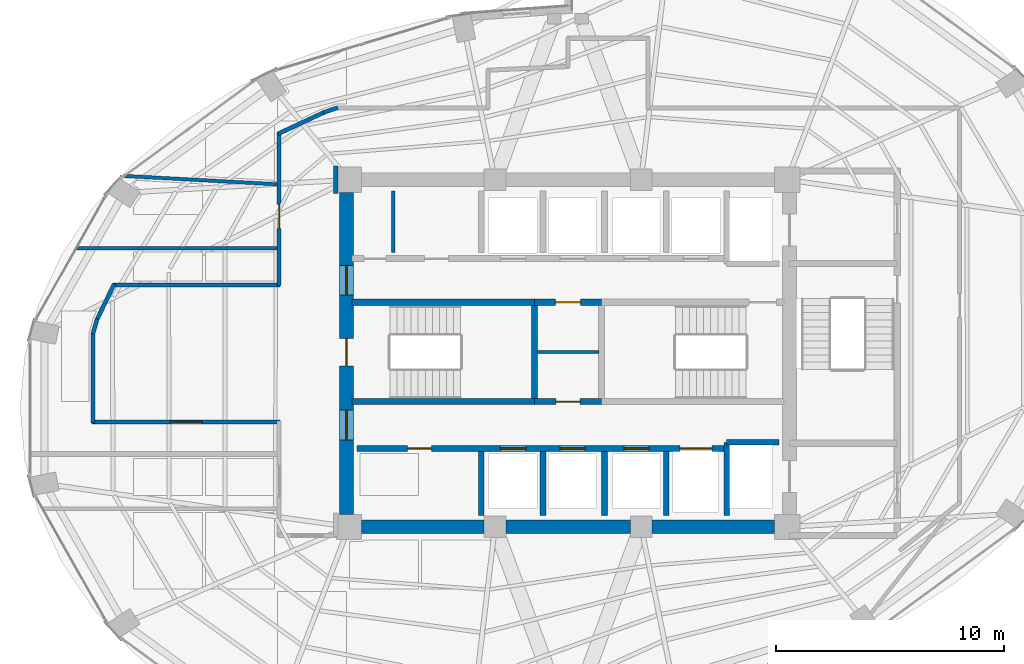
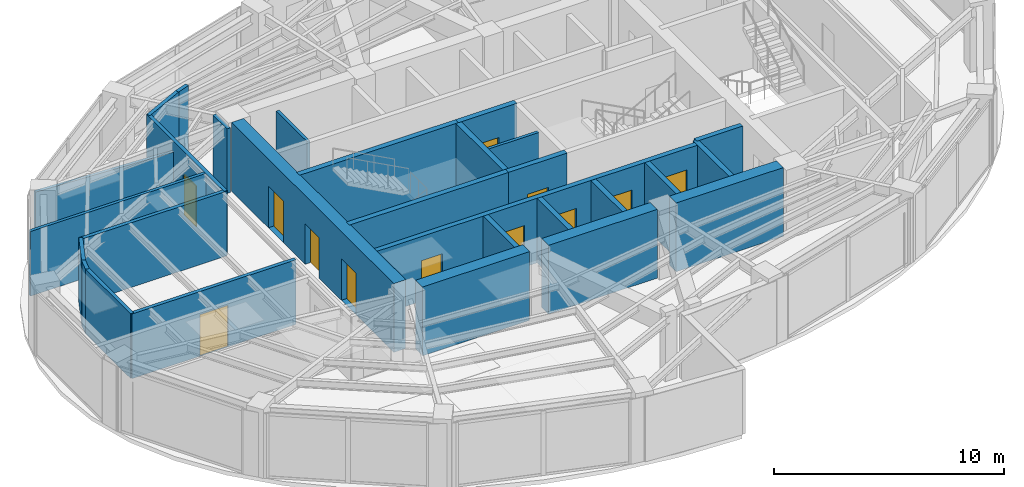
# One storey, part 16 of 20: 29 walls, 12 doors, 12 openings.
"""IFC4 building model written with IfcOpenShell, lengths in metres."""

from ifc_helpers import new_model, si_unit, direction, frame, frame_2d, origin, place, context, subcontext, project, spatial, rectangle, extrude, material, layer, layer_set, type_object, element, fill, save


model = new_model("IFC4")

# Units and contexts
model_context = context("Model", 3, precision=1e-05, world=origin(), true_north=direction((0.0, 1.0)))
body_context = subcontext(model_context, "Body", "Model", "MODEL_VIEW")
ifc_project = project(units=[si_unit("LENGTHUNIT", "METRE"), si_unit("AREAUNIT", "SQUARE_METRE"), si_unit("VOLUMEUNIT", "CUBIC_METRE"), si_unit("PLANEANGLEUNIT", "RADIAN"), si_unit("MASSUNIT", "GRAM", prefix="KILO")], contexts=[model_context])

# Site, building, storey
site_placement = place(None, origin())
site = spatial("IfcSite", under=ifc_project, at=site_placement, CompositionType="ELEMENT")
building_placement = place(site_placement, origin())
building = spatial("IfcBuilding", under=site, at=building_placement, Name="Lazwardi Medical Tower", CompositionType="ELEMENT")
storey_placement = place(building_placement, frame((0.0, 0.0, 174.76806640625)))
storey = spatial("IfcBuildingStorey", under=building, at=storey_placement, Name="L45", CompositionType="ELEMENT", Elevation=174.76806640625)

# Walls
ifc_material_1 = material(Name="Fire-rated gypsum board on steel stud", Category="steel")
ifc_layer_1 = layer(ifc_material_1, 0.179931640625)
ifc_layer_set_1 = layer_set([ifc_layer_1], Name="Fire-rated gypsum board on steel stud")
wall_type_1 = type_object("IfcWallType", Name="WL-COR-180", PredefinedType="PARTITIONING", material=ifc_layer_set_1)
wall_1_placement = place(storey_placement, frame((15.350341796875, 29.435791015625, 0.0), z_axis=(0.0, 0.0, 1.0), x_axis=(0.436196025907, 0.899851669434, 0.0)))
element("IfcWall", 1, at=wall_1_placement, inside=storey, type_object=wall_type_1, Name="L45 Corridor partition 1", PredefinedType="PARTITIONING", context=body_context, shape_type="SweptSolid", body=[
    extrude(rectangle(XDim=1.778076171875, YDim=0.179931640625, at=frame_2d((0.88916015625, 0.0))), origin(), (0.0, 0.0, 1.0), 3.427978515625),
])
wall_2_placement = place(storey_placement, frame((16.068359375, 31.0, 0.0), z_axis=(0.0, 0.0, 1.0), x_axis=(1.0, 0.0, 0.0)))
element("IfcWall", 2, at=wall_2_placement, inside=storey, type_object=wall_type_1, Name="L45 Corridor partition 2", PredefinedType="PARTITIONING", context=body_context, shape_type="SweptSolid", body=[
    extrude(rectangle(XDim=7.321533203125, YDim=0.179931640625, at=frame_2d((3.66064453125, 0.0))), origin(), (0.0, 0.0, 1.0), 3.427978515625),
])

# Wall, opening, door
wall_3_placement = place(storey_placement, frame((23.35009765625, 30.9599609375, 0.0), z_axis=(0.0, 0.0, 1.0), x_axis=(0.0, 1.0, 0.0)))
wall_3 = element("IfcWall", 3, at=wall_3_placement, inside=storey, type_object=wall_type_1, Name="L45 Corridor partition 3", PredefinedType="PARTITIONING", context=body_context, shape_type="SweptSolid", body=[
    extrude(rectangle(XDim=6.7138671875, YDim=0.179931640625, at=frame_2d((3.35693359375, 0.0))), origin(), (0.0, 0.0, 1.0), 3.427978515625),
])
opening_1_placement = place(wall_3_placement, frame((2.51708984375, 0.0, 0.0)))
opening_1 = element("IfcOpeningElement", 4, at=opening_1_placement, cuts=wall_3, Name="Opening D-L45-013", PredefinedType="OPENING", context=body_context, shape_type="SweptSolid", body=[
    extrude(rectangle(XDim=1.050048828125, YDim=2.14990234375, at=frame_2d((0.52490234375, 1.074951171875))), frame((0.0, 0.099853515625, 0.0), z_axis=(0.0, -1.0, 0.0), x_axis=(1.0, 0.0, 0.0)), (0.0, 0.0, 1.0), 0.199951171875),
])
ifc_material_2 = material(Name="Anti-microbial laminate hospital leaf")
door_type_1 = type_object("IfcDoorType", Name="DR-CLN-1050", OperationType="NOTDEFINED", PredefinedType="DOOR", material=ifc_material_2)
door_1_placement = place(opening_1_placement, origin())
door_1 = element("IfcDoor", 5, at=door_1_placement, inside=storey, type_object=door_type_1, Name="L45 Outpatient Clinic Door 04", OperationType="SINGLE_SWING_RIGHT", OverallHeight=2.14990234375, OverallWidth=1.050048828125, PredefinedType="DOOR", context=body_context, shape_type="SweptSolid", body=[
    extrude(rectangle(XDim=1.050048828125, YDim=2.14990234375, at=frame_2d((0.52490234375, 1.074951171875))), frame((0.0, 0.02490234375, 0.0), z_axis=(0.0, -1.0, 0.0), x_axis=(1.0, 0.0, 0.0)), (0.0, 0.0, 1.0), 0.050048828125),
])
fill(opening_1, door_1)

# Walls
wall_4_placement = place(storey_placement, frame((23.313720703125, 37.616943359375, 0.0), z_axis=(0.0, 0.0, 1.0), x_axis=(0.905731790856, 0.423851298255, 0.0)))
element("IfcWall", 6, at=wall_4_placement, inside=storey, type_object=wall_type_1, Name="L45 Corridor partition 4", PredefinedType="PARTITIONING", context=body_context, shape_type="SweptSolid", body=[
    extrude(rectangle(XDim=2.255126953125, YDim=0.179931640625, at=frame_2d((1.12744140625, 0.0))), origin(), (0.0, 0.0, 1.0), 3.427978515625),
])
wall_5_placement = place(storey_placement, frame((25.2822265625, 38.54248046875, 0.0), z_axis=(0.0, 0.0, 1.0), x_axis=(0.94508059942, 0.326837361085, 0.0)))
element("IfcWall", 7, at=wall_5_placement, inside=storey, type_object=wall_type_1, Name="L45 Corridor partition 5", PredefinedType="PARTITIONING", context=body_context, shape_type="SweptSolid", body=[
    extrude(rectangle(XDim=0.67529296875, YDim=0.179931640625, at=frame_2d((0.337646484375, 0.0))), origin(), (0.0, 0.0, 1.0), 3.427978515625),
])
wall_6_placement = place(storey_placement, frame((25.830078125, 36.2099609375, 0.0), z_axis=(0.0, 0.0, 1.0), x_axis=(0.0, -1.0, 0.0)))
element("IfcWall", 8, at=wall_6_placement, inside=storey, type_object=wall_type_1, Name="L45 Corridor partition 15", PredefinedType="PARTITIONING", context=body_context, shape_type="SweptSolid", body=[
    extrude(rectangle(XDim=1.219970703125, YDim=0.179931640625, at=frame_2d((0.60986328125, 0.0))), origin(), (0.0, 0.0, 1.0), 3.427978515625),
])

# Wall, opening, door
wall_7_placement = place(storey_placement, frame((23.389892578125, 25.0, 0.0), z_axis=(0.0, 0.0, 1.0), x_axis=(-1.0, 0.0, 0.0)))
wall_7 = element("IfcWall", 9, at=wall_7_placement, inside=storey, type_object=wall_type_1, Name="L45 Corridor partition 19", PredefinedType="PARTITIONING", context=body_context, shape_type="SweptSolid", body=[
    extrude(rectangle(XDim=8.22998046875, YDim=0.179931640625, at=frame_2d((4.114990234375, 0.0))), origin(), (0.0, 0.0, 1.0), 3.427978515625),
])
opening_2_placement = place(wall_7_placement, frame((3.4150390625, 0.0, 0.0)))
opening_2 = element("IfcOpeningElement", 10, at=opening_2_placement, cuts=wall_7, Name="Opening D-L45-014", PredefinedType="OPENING", context=body_context, shape_type="SweptSolid", body=[
    extrude(rectangle(XDim=1.39990234375, YDim=2.199951171875, at=frame_2d((0.699951171875, 1.10009765625))), frame((0.0, 0.099853515625, 0.0), z_axis=(0.0, -1.0, 0.0), x_axis=(1.0, 0.0, 0.0)), (0.0, 0.0, 1.0), 0.199951171875),
])
door_type_2 = type_object("IfcDoorType", Name="DR-BED-1400", OperationType="NOTDEFINED", PredefinedType="DOOR", material=ifc_material_2)
door_2_placement = place(opening_2_placement, origin())
door_2 = element("IfcDoor", 11, at=door_2_placement, inside=storey, type_object=door_type_2, Name="L45 Rehabilitation Gymnasium Door 05", OperationType="SINGLE_SWING_LEFT", OverallHeight=2.199951171875, OverallWidth=1.39990234375, PredefinedType="DOOR", context=body_context, shape_type="SweptSolid", body=[
    extrude(rectangle(XDim=1.39990234375, YDim=2.199951171875, at=frame_2d((0.699951171875, 1.10009765625))), frame((0.0, 0.02490234375, 0.0), z_axis=(0.0, -1.0, 0.0), x_axis=(1.0, 0.0, 0.0)), (0.0, 0.0, 1.0), 0.050048828125),
])
fill(opening_2, door_2)

# Walls
wall_8_placement = place(storey_placement, frame((15.199951171875, 24.9599609375, 0.0), z_axis=(0.0, 0.0, 1.0), x_axis=(0.0, 1.0, 0.0)))
element("IfcWall", 12, at=wall_8_placement, inside=storey, type_object=wall_type_1, Name="L45 Corridor partition 20", PredefinedType="PARTITIONING", context=body_context, shape_type="SweptSolid", body=[
    extrude(rectangle(XDim=3.961181640625, YDim=0.179931640625, at=frame_2d((1.98046875, 0.0))), origin(), (0.0, 0.0, 1.0), 3.427978515625),
])
wall_9_placement = place(storey_placement, frame((15.189208984375, 28.842529296875, 0.0), z_axis=(0.0, 0.0, 1.0), x_axis=(0.272862960331, 0.962052911684, 0.0)))
element("IfcWall", 13, at=wall_9_placement, inside=storey, type_object=wall_type_1, Name="L45 Corridor partition 21", PredefinedType="PARTITIONING", context=body_context, shape_type="SweptSolid", body=[
    extrude(rectangle(XDim=0.6943359375, YDim=0.179931640625, at=frame_2d((0.34716796875, 0.0))), origin(), (0.0, 0.0, 1.0), 3.427978515625),
])

# Wall, openings, doors
ifc_material_3 = material(Name="Concrete C60/75", Category="concrete")
ifc_layer_2 = layer(ifc_material_3, 0.60009765625)
ifc_layer_set_2 = layer_set([ifc_layer_2], Name="Concrete C60/75")
wall_type_2 = type_object("IfcWallType", Name="WL-CORE-600", PredefinedType="SHEAR", material=ifc_layer_set_2)
wall_10_placement = place(storey_placement, frame((26.300048828125, 20.949951171875, 0.0), z_axis=(0.0, 0.0, 1.0), x_axis=(0.0, 1.0, 0.0)))
wall_10 = element("IfcWall", 14, at=wall_10_placement, inside=storey, type_object=wall_type_2, Name="Core wall CW-S3 west L45", PredefinedType="SHEAR", context=body_context, shape_type="SweptSolid", body=[
    extrude(rectangle(XDim=14.10009765625, YDim=0.60009765625, at=frame_2d((7.050048828125, 0.0))), origin(), (0.0, 0.0, 1.0), 3.64794921875),
])
opening_3_placement = place(wall_10_placement, frame((6.5, 0.0, 0.0)))
opening_3 = element("IfcOpeningElement", 15, at=opening_3_placement, cuts=wall_10, Name="Opening D-L45-015", PredefinedType="OPENING", context=body_context, shape_type="SweptSolid", body=[
    extrude(rectangle(XDim=1.199951171875, YDim=2.14990234375, at=frame_2d((0.60009765625, 1.074951171875))), frame((0.0, 0.31005859375, 0.0), z_axis=(0.0, -1.0, 0.0), x_axis=(1.0, 0.0, 0.0)), (0.0, 0.0, 1.0), 0.6201171875),
])
opening_4_placement = place(wall_10_placement, frame((9.60009765625, 0.0, 0.0)))
opening_4 = element("IfcOpeningElement", 16, at=opening_4_placement, cuts=wall_10, Name="Opening D-L45-008", PredefinedType="OPENING", context=body_context, shape_type="SweptSolid", body=[
    extrude(rectangle(XDim=1.300048828125, YDim=2.199951171875, at=frame_2d((0.64990234375, 1.10009765625))), frame((0.0, 0.31005859375, 0.0), z_axis=(0.0, -1.0, 0.0), x_axis=(1.0, 0.0, 0.0)), (0.0, 0.0, 1.0), 0.6201171875),
])
opening_5_placement = place(wall_10_placement, frame((3.260009765625, 0.0, 0.0)))
opening_5 = element("IfcOpeningElement", 17, at=opening_5_placement, cuts=wall_10, Name="Opening D-L45-009", PredefinedType="OPENING", context=body_context, shape_type="SweptSolid", body=[
    extrude(rectangle(XDim=1.300048828125, YDim=2.199951171875, at=frame_2d((0.64990234375, 1.10009765625))), frame((0.0, 0.31005859375, 0.0), z_axis=(0.0, -1.0, 0.0), x_axis=(1.0, 0.0, 0.0)), (0.0, 0.0, 1.0), 0.6201171875),
])
ifc_material_4 = material(Name="Fire-rated steel leaf and frame", Category="steel")
door_type_3 = type_object("IfcDoorType", Name="DR-FFL-1300", OperationType="NOTDEFINED", PredefinedType="DOOR", material=ifc_material_4)
door_3_placement = place(opening_4_placement, origin())
door_3 = element("IfcDoor", 18, at=door_3_placement, inside=storey, type_object=door_type_3, Name="L45 North Lift Lobby Door", OperationType="SINGLE_SWING_LEFT", OverallHeight=2.199951171875, OverallWidth=1.300048828125, PredefinedType="DOOR", context=body_context, shape_type="SweptSolid", body=[
    extrude(rectangle(XDim=1.300048828125, YDim=2.199951171875, at=frame_2d((0.64990234375, 1.10009765625))), frame((0.0, 0.02490234375, 0.0), z_axis=(0.0, -1.0, 0.0), x_axis=(1.0, 0.0, 0.0)), (0.0, 0.0, 1.0), 0.050048828125),
])
fill(opening_4, door_3)
door_4_placement = place(opening_5_placement, origin())
door_4 = element("IfcDoor", 19, at=door_4_placement, inside=storey, type_object=door_type_3, Name="L45 South Lift Lobby Door", OperationType="SINGLE_SWING_RIGHT", OverallHeight=2.199951171875, OverallWidth=1.300048828125, PredefinedType="DOOR", context=body_context, shape_type="SweptSolid", body=[
    extrude(rectangle(XDim=1.300048828125, YDim=2.199951171875, at=frame_2d((0.64990234375, 1.10009765625))), frame((0.0, 0.02490234375, 0.0), z_axis=(0.0, -1.0, 0.0), x_axis=(1.0, 0.0, 0.0)), (0.0, 0.0, 1.0), 0.050048828125),
])
fill(opening_5, door_4)
door_type_4 = type_object("IfcDoorType", Name="DR-STR-1200", OperationType="NOTDEFINED", PredefinedType="DOOR", material=ifc_material_4)
door_5_placement = place(opening_3_placement, origin())
door_5 = element("IfcDoor", 20, at=door_5_placement, inside=storey, type_object=door_type_4, Name="L45 Exit Stair ST1 Door", OperationType="SINGLE_SWING_LEFT", OverallHeight=2.14990234375, OverallWidth=1.199951171875, PredefinedType="DOOR", context=body_context, shape_type="SweptSolid", body=[
    extrude(rectangle(XDim=1.199951171875, YDim=2.14990234375, at=frame_2d((0.60009765625, 1.074951171875))), frame((0.0, 0.02490234375, 0.0), z_axis=(0.0, -1.0, 0.0), x_axis=(1.0, 0.0, 0.0)), (0.0, 0.0, 1.0), 0.050048828125),
])
fill(opening_3, door_5)

# Walls
wall_11_placement = place(storey_placement, frame((26.949951171875, 20.39990234375, 0.0), z_axis=(0.0, 0.0, 1.0), x_axis=(1.0, 0.0, 0.0)))
element("IfcWall", 21, at=wall_11_placement, inside=storey, type_object=wall_type_2, Name="Core wall CW-S3 S1 L45", PredefinedType="SHEAR", context=body_context, shape_type="SweptSolid", body=[
    extrude(rectangle(XDim=5.375, YDim=0.60009765625, at=frame_2d((2.6875, 0.0))), origin(), (0.0, 0.0, 1.0), 3.64794921875),
])
wall_12_placement = place(storey_placement, frame((33.27490234375, 20.39990234375, 0.0), z_axis=(0.0, 0.0, 1.0), x_axis=(1.0, 0.0, 0.0)))
element("IfcWall", 22, at=wall_12_placement, inside=storey, type_object=wall_type_2, Name="Core wall CW-S3 S2 L45", PredefinedType="SHEAR", context=body_context, shape_type="SweptSolid", body=[
    extrude(rectangle(XDim=5.4501953125, YDim=0.60009765625, at=frame_2d((2.72509765625, 0.0))), origin(), (0.0, 0.0, 1.0), 3.64794921875),
])
wall_13_placement = place(storey_placement, frame((39.675048828125, 20.39990234375, 0.0), z_axis=(0.0, 0.0, 1.0), x_axis=(1.0, 0.0, 0.0)))
element("IfcWall", 23, at=wall_13_placement, inside=storey, type_object=wall_type_2, Name="Core wall CW-S3 S3 L45", PredefinedType="SHEAR", context=body_context, shape_type="SweptSolid", body=[
    extrude(rectangle(XDim=5.375, YDim=0.60009765625, at=frame_2d((2.6875, 0.0))), origin(), (0.0, 0.0, 1.0), 3.64794921875),
])

# Wall, openings, doors
ifc_material_5 = material(Name="Autoclaved aerated concrete blockwork", Category="masonry")
ifc_layer_3 = layer(ifc_material_5, 0.25)
ifc_layer_set_3 = layer_set([ifc_layer_3], Name="Autoclaved aerated concrete blockwork")
wall_type_3 = type_object("IfcWallType", Name="WL-SHAFT-250", PredefinedType="SOLIDWALL", material=ifc_layer_set_3)
wall_14_placement = place(storey_placement, frame((26.75, 23.830078125, 0.0), z_axis=(0.0, 0.0, 1.0), x_axis=(1.0, 0.0, 0.0)))
wall_14 = element("IfcWall", 24, at=wall_14_placement, inside=storey, type_object=wall_type_3, Name="L45 South lift bank front wall", PredefinedType="SOLIDWALL", context=body_context, shape_type="SweptSolid", body=[
    extrude(rectangle(XDim=16.199951171875, YDim=0.25, at=frame_2d((8.10009765625, 0.0))), origin(), (0.0, 0.0, 1.0), 3.427978515625),
])
opening_6_placement = place(wall_14_placement, frame((2.22509765625, 0.0, 0.0)))
opening_6 = element("IfcOpeningElement", 25, at=opening_6_placement, cuts=wall_14, Name="Opening D-L45-005", PredefinedType="OPENING", context=body_context, shape_type="SweptSolid", body=[
    extrude(rectangle(XDim=1.050048828125, YDim=2.14990234375, at=frame_2d((0.52490234375, 1.074951171875))), frame((0.0, 0.135009765625, 0.0), z_axis=(0.0, -1.0, 0.0), x_axis=(1.0, 0.0, 0.0)), (0.0, 0.0, 1.0), 0.27001953125),
])
opening_7_placement = place(wall_14_placement, frame((6.300048828125, 0.0, 0.0)))
opening_7 = element("IfcOpeningElement", 26, at=opening_7_placement, cuts=wall_14, Name="Opening LD-L45-006", PredefinedType="OPENING", context=body_context, shape_type="SweptSolid", body=[
    extrude(rectangle(XDim=1.10009765625, YDim=2.199951171875, at=frame_2d((0.550048828125, 1.10009765625))), frame((0.0, 0.135009765625, 0.0), z_axis=(0.0, -1.0, 0.0), x_axis=(1.0, 0.0, 0.0)), (0.0, 0.0, 1.0), 0.27001953125),
])
opening_8_placement = place(wall_14_placement, frame((8.89990234375, 0.0, 0.0)))
opening_8 = element("IfcOpeningElement", 27, at=opening_8_placement, cuts=wall_14, Name="Opening LD-L45-007", PredefinedType="OPENING", context=body_context, shape_type="SweptSolid", body=[
    extrude(rectangle(XDim=1.10009765625, YDim=2.199951171875, at=frame_2d((0.550048828125, 1.10009765625))), frame((0.0, 0.135009765625, 0.0), z_axis=(0.0, -1.0, 0.0), x_axis=(1.0, 0.0, 0.0)), (0.0, 0.0, 1.0), 0.27001953125),
])
opening_9_placement = place(wall_14_placement, frame((11.699951171875, 0.0, 0.0)))
opening_9 = element("IfcOpeningElement", 28, at=opening_9_placement, cuts=wall_14, Name="Opening LD-L45-010", PredefinedType="OPENING", context=body_context, shape_type="SweptSolid", body=[
    extrude(rectangle(XDim=1.10009765625, YDim=2.199951171875, at=frame_2d((0.550048828125, 1.10009765625))), frame((0.0, 0.135009765625, 0.0), z_axis=(0.0, -1.0, 0.0), x_axis=(1.0, 0.0, 0.0)), (0.0, 0.0, 1.0), 0.27001953125),
])
opening_10_placement = place(wall_14_placement, frame((14.14990234375, 0.0, 0.0)))
opening_10 = element("IfcOpeningElement", 29, at=opening_10_placement, cuts=wall_14, Name="Opening LD-L45-003", PredefinedType="OPENING", context=body_context, shape_type="SweptSolid", body=[
    extrude(rectangle(XDim=1.39990234375, YDim=2.300048828125, at=frame_2d((0.699951171875, 1.14990234375))), frame((0.0, 0.135009765625, 0.0), z_axis=(0.0, -1.0, 0.0), x_axis=(1.0, 0.0, 0.0)), (0.0, 0.0, 1.0), 0.27001953125),
])
door_6_placement = place(opening_6_placement, origin())
door_6 = element("IfcDoor", 30, at=door_6_placement, inside=storey, type_object=door_type_1, Name="L45 Medication Door", OperationType="SINGLE_SWING_LEFT", OverallHeight=2.14990234375, OverallWidth=1.050048828125, PredefinedType="DOOR", context=body_context, shape_type="SweptSolid", body=[
    extrude(rectangle(XDim=1.050048828125, YDim=2.14990234375, at=frame_2d((0.52490234375, 1.074951171875))), frame((0.0, 0.02490234375, 0.0), z_axis=(0.0, -1.0, 0.0), x_axis=(1.0, 0.0, 0.0)), (0.0, 0.0, 1.0), 0.050048828125),
])
fill(opening_6, door_6)
ifc_material_6 = material(Name="Brushed bronze stainless steel landing door", Category="steel")
door_type_5 = type_object("IfcDoorType", Name="DR-LFT-1100", OperationType="NOTDEFINED", PredefinedType="DOOR", material=ifc_material_6)
door_7_placement = place(opening_7_placement, origin())
door_7 = element("IfcDoor", 31, at=door_7_placement, inside=storey, type_object=door_type_5, Name="L45 Lift Landing Door PL-07", OperationType="SLIDING_TO_LEFT", OverallHeight=2.199951171875, OverallWidth=1.10009765625, PredefinedType="DOOR", context=body_context, shape_type="SweptSolid", body=[
    extrude(rectangle(XDim=1.10009765625, YDim=2.199951171875, at=frame_2d((0.550048828125, 1.10009765625))), frame((0.0, 0.02490234375, 0.0), z_axis=(0.0, -1.0, 0.0), x_axis=(1.0, 0.0, 0.0)), (0.0, 0.0, 1.0), 0.050048828125),
])
fill(opening_7, door_7)
door_8_placement = place(opening_8_placement, origin())
door_8 = element("IfcDoor", 32, at=door_8_placement, inside=storey, type_object=door_type_5, Name="L45 Lift Landing Door PL-08", OperationType="SLIDING_TO_LEFT", OverallHeight=2.199951171875, OverallWidth=1.10009765625, PredefinedType="DOOR", context=body_context, shape_type="SweptSolid", body=[
    extrude(rectangle(XDim=1.10009765625, YDim=2.199951171875, at=frame_2d((0.550048828125, 1.10009765625))), frame((0.0, 0.02490234375, 0.0), z_axis=(0.0, -1.0, 0.0), x_axis=(1.0, 0.0, 0.0)), (0.0, 0.0, 1.0), 0.050048828125),
])
fill(opening_8, door_8)
door_9_placement = place(opening_9_placement, origin())
door_9 = element("IfcDoor", 33, at=door_9_placement, inside=storey, type_object=door_type_5, Name="L45 Lift Landing Door PL-11", OperationType="SLIDING_TO_LEFT", OverallHeight=2.199951171875, OverallWidth=1.10009765625, PredefinedType="DOOR", context=body_context, shape_type="SweptSolid", body=[
    extrude(rectangle(XDim=1.10009765625, YDim=2.199951171875, at=frame_2d((0.550048828125, 1.10009765625))), frame((0.0, 0.02490234375, 0.0), z_axis=(0.0, -1.0, 0.0), x_axis=(1.0, 0.0, 0.0)), (0.0, 0.0, 1.0), 0.050048828125),
])
fill(opening_9, door_9)
ifc_material_7 = material(Name="Brushed stainless steel bed-lift landing door", Category="steel")
door_type_6 = type_object("IfcDoorType", Name="DR-LFT-1400", OperationType="NOTDEFINED", PredefinedType="DOOR", material=ifc_material_7)
door_10_placement = place(opening_10_placement, origin())
door_10 = element("IfcDoor", 34, at=door_10_placement, inside=storey, type_object=door_type_6, Name="L45 Lift Landing Door FL-03", OperationType="SLIDING_TO_LEFT", OverallHeight=2.300048828125, OverallWidth=1.39990234375, PredefinedType="DOOR", context=body_context, shape_type="SweptSolid", body=[
    extrude(rectangle(XDim=1.39990234375, YDim=2.300048828125, at=frame_2d((0.699951171875, 1.14990234375))), frame((0.0, 0.02490234375, 0.0), z_axis=(0.0, -1.0, 0.0), x_axis=(1.0, 0.0, 0.0)), (0.0, 0.0, 1.0), 0.050048828125),
])
fill(opening_10, door_10)

# Walls
wall_15_placement = place(storey_placement, frame((42.949951171875, 20.89990234375, 0.0), z_axis=(0.0, 0.0, 1.0), x_axis=(0.0, 1.0, 0.0)))
element("IfcWall", 35, at=wall_15_placement, inside=storey, type_object=wall_type_3, Name="L45 FL-02 West shaft wall", PredefinedType="SOLIDWALL", context=body_context, shape_type="SweptSolid", body=[
    extrude(rectangle(XDim=3.2001953125, YDim=0.25, at=frame_2d((1.60009765625, 0.0))), origin(), (0.0, 0.0, 1.0), 3.427978515625),
])
wall_16_placement = place(storey_placement, frame((42.949951171875, 24.10009765625, 0.0), z_axis=(0.0, 0.0, 1.0), x_axis=(1.0, 0.0, 0.0)))
element("IfcWall", 36, at=wall_16_placement, inside=storey, type_object=wall_type_3, Name="L45 FL-02 North shaft wall", PredefinedType="SOLIDWALL", context=body_context, shape_type="SweptSolid", body=[
    extrude(rectangle(XDim=2.300048828125, YDim=0.25, at=frame_2d((1.14990234375, 0.0))), origin(), (0.0, 0.0, 1.0), 3.427978515625),
])
for number, where, z_axis, x_axis, name in (
    (37, (32.199951171875, 20.89990234375, 0.0), (0.0, 0.0, 1.0), (0.0, 1.0, 0.0), "L45 South hoistway divider"),
    (38, (34.89990234375, 20.89990234375, 0.0), (0.0, 0.0, 1.0), (0.0, 1.0, 0.0), "L45 South hoistway divider"),
    (39, (37.60009765625, 20.89990234375, 0.0), (0.0, 0.0, 1.0), (0.0, 1.0, 0.0), "L45 South hoistway divider"),
    (40, (40.300048828125, 20.89990234375, 0.0), (0.0, 0.0, 1.0), (0.0, 1.0, 0.0), "L45 South hoistway divider"),
):
    element("IfcWall", number, at=place(storey_placement, frame(where, z_axis=z_axis, x_axis=x_axis)), inside=storey, type_object=wall_type_3, Name=name, PredefinedType="SOLIDWALL", context=body_context, shape_type="SweptSolid", body=[
        extrude(rectangle(XDim=2.800048828125, YDim=0.25, at=frame_2d((1.39990234375, 0.0))), origin(), (0.0, 0.0, 1.0), 3.427978515625),
    ])
ifc_material_8 = material(Name="Concrete C50/60", Category="concrete")
ifc_layer_4 = layer(ifc_material_8, 0.27001953125)
ifc_layer_set_4 = layer_set([ifc_layer_4], Name="Concrete C50/60")
wall_type_4 = type_object("IfcWallType", Name="WL-STR-250", PredefinedType="SHEAR", material=ifc_layer_set_4)
wall_17_placement = place(storey_placement, frame((26.550048828125, 30.235107421875, 0.0), z_axis=(0.0, 0.0, 1.0), x_axis=(1.0, 0.0, 0.0)))
element("IfcWall", 41, at=wall_17_placement, inside=storey, type_object=wall_type_4, Name="L45 ST1 North shear shaft wall SW-S1", PredefinedType="SHEAR", context=body_context, shape_type="SweptSolid", body=[
    extrude(rectangle(XDim=7.98486328125, YDim=0.27001953125, at=frame_2d((3.992431640625, 0.0))), origin(), (0.0, 0.0, 1.0), 3.64794921875),
])

# Wall, opening, door
wall_18_placement = place(storey_placement, frame((34.534912109375, 30.235107421875, 0.0), z_axis=(0.0, 0.0, 1.0), x_axis=(1.0, 0.0, 0.0)))
wall_18 = element("IfcWall", 42, at=wall_18_placement, inside=storey, type_object=wall_type_4, Name="L45 Core service North shear wall SW-S1", PredefinedType="SHEAR", context=body_context, shape_type="SweptSolid", body=[
    extrude(rectangle(XDim=2.93017578125, YDim=0.27001953125, at=frame_2d((1.465087890625, 0.0))), origin(), (0.0, 0.0, 1.0), 3.64794921875),
])
opening_11_placement = place(wall_18_placement, frame((0.9150390625, 0.0, 0.0)))
opening_11 = element("IfcOpeningElement", 43, at=opening_11_placement, cuts=wall_18, Name="Opening D-L45-002", PredefinedType="OPENING", context=body_context, shape_type="SweptSolid", body=[
    extrude(rectangle(XDim=1.10009765625, YDim=2.14990234375, at=frame_2d((0.550048828125, 1.074951171875))), frame((0.0, 0.14501953125, 0.0), z_axis=(0.0, -1.0, 0.0), x_axis=(1.0, 0.0, 0.0)), (0.0, 0.0, 1.0), 0.2900390625),
])
door_type_7 = type_object("IfcDoorType", Name="DR-PLT-1100", OperationType="NOTDEFINED", PredefinedType="DOOR", material=ifc_material_4)
door_11_placement = place(opening_11_placement, origin())
door_11 = element("IfcDoor", 44, at=door_11_placement, inside=storey, type_object=door_type_7, Name="L45 Electrical Room Door", OperationType="SINGLE_SWING_RIGHT", OverallHeight=2.14990234375, OverallWidth=1.10009765625, PredefinedType="DOOR", context=body_context, shape_type="SweptSolid", body=[
    extrude(rectangle(XDim=1.10009765625, YDim=2.14990234375, at=frame_2d((0.550048828125, 1.074951171875))), frame((0.0, 0.02490234375, 0.0), z_axis=(0.0, -1.0, 0.0), x_axis=(1.0, 0.0, 0.0)), (0.0, 0.0, 1.0), 0.050048828125),
])
fill(opening_11, door_11)

# Wall
wall_19_placement = place(storey_placement, frame((26.550048828125, 25.885009765625, 0.0), z_axis=(0.0, 0.0, 1.0), x_axis=(1.0, 0.0, 0.0)))
element("IfcWall", 45, at=wall_19_placement, inside=storey, type_object=wall_type_4, Name="L45 ST1 South shear shaft wall SW-S1", PredefinedType="SHEAR", context=body_context, shape_type="SweptSolid", body=[
    extrude(rectangle(XDim=7.98486328125, YDim=0.27001953125, at=frame_2d((3.992431640625, 0.0))), origin(), (0.0, 0.0, 1.0), 3.64794921875),
])

# Wall, opening, door
wall_20_placement = place(storey_placement, frame((34.534912109375, 25.885009765625, 0.0), z_axis=(0.0, 0.0, 1.0), x_axis=(1.0, 0.0, 0.0)))
wall_20 = element("IfcWall", 46, at=wall_20_placement, inside=storey, type_object=wall_type_4, Name="L45 Core service South shear wall SW-S1", PredefinedType="SHEAR", context=body_context, shape_type="SweptSolid", body=[
    extrude(rectangle(XDim=2.93017578125, YDim=0.27001953125, at=frame_2d((1.465087890625, 0.0))), origin(), (0.0, 0.0, 1.0), 3.64794921875),
])
opening_12_placement = place(wall_20_placement, frame((0.93994140625, 0.0, 0.0)))
opening_12 = element("IfcOpeningElement", 47, at=opening_12_placement, cuts=wall_20, Name="Opening D-L45-001", PredefinedType="OPENING", context=body_context, shape_type="SweptSolid", body=[
    extrude(rectangle(XDim=1.050048828125, YDim=2.14990234375, at=frame_2d((0.52490234375, 1.074951171875))), frame((0.0, 0.14501953125, 0.0), z_axis=(0.0, -1.0, 0.0), x_axis=(1.0, 0.0, 0.0)), (0.0, 0.0, 1.0), 0.2900390625),
])
door_12_placement = place(opening_12_placement, origin())
door_12 = element("IfcDoor", 48, at=door_12_placement, inside=storey, type_object=door_type_1, Name="L45 Dirty Sluice Door", OperationType="SINGLE_SWING_LEFT", OverallHeight=2.14990234375, OverallWidth=1.050048828125, PredefinedType="DOOR", context=body_context, shape_type="SweptSolid", body=[
    extrude(rectangle(XDim=1.050048828125, YDim=2.14990234375, at=frame_2d((0.52490234375, 1.074951171875))), frame((0.0, 0.02490234375, 0.0), z_axis=(0.0, -1.0, 0.0), x_axis=(1.0, 0.0, 0.0)), (0.0, 0.0, 1.0), 0.050048828125),
])
fill(opening_12, door_12)

# Walls
wall_21_placement = place(storey_placement, frame((34.534912109375, 26.02001953125, 0.0), z_axis=(0.0, 0.0, 1.0), x_axis=(0.0, 1.0, 0.0)))
element("IfcWall", 49, at=wall_21_placement, inside=storey, type_object=wall_type_4, Name="L45 ST1 East shear shaft wall SW-S1", PredefinedType="SHEAR", context=body_context, shape_type="SweptSolid", body=[
    extrude(rectangle(XDim=4.080078125, YDim=0.27001953125, at=frame_2d((2.0400390625, 0.0))), origin(), (0.0, 0.0, 1.0), 3.64794921875),
])
ifc_material_9 = material(Name="Acoustic gypsum board partition")
ifc_layer_5 = layer(ifc_material_9, 0.14990234375)
ifc_layer_set_5 = layer_set([ifc_layer_5], Name="Acoustic gypsum board partition")
wall_type_5 = type_object("IfcWallType", Name="WL-WRD-150", PredefinedType="PARTITIONING", material=ifc_layer_set_5)
wall_22_placement = place(storey_placement, frame((34.64990234375, 28.06005859375, 0.0), z_axis=(0.0, 0.0, 1.0), x_axis=(1.0, 0.0, 0.0)))
element("IfcWall", 50, at=wall_22_placement, inside=storey, type_object=wall_type_5, Name="L45 Core service divider", PredefinedType="PARTITIONING", context=body_context, shape_type="SweptSolid", body=[
    extrude(rectangle(XDim=2.7001953125, YDim=0.14990234375, at=frame_2d((1.35009765625, 0.0))), origin(), (0.0, 0.0, 1.0), 3.427978515625),
])
wall_23_placement = place(storey_placement, frame((28.35009765625, 32.419921875, 0.0), z_axis=(0.0, 0.0, 1.0), x_axis=(0.0, 1.0, 0.0)))
element("IfcWall", 51, at=wall_23_placement, inside=storey, type_object=wall_type_5, Name="L45 Freed bay N split", PredefinedType="PARTITIONING", context=body_context, shape_type="SweptSolid", body=[
    extrude(rectangle(XDim=2.68017578125, YDim=0.14990234375, at=frame_2d((1.340087890625, 0.0))), origin(), (0.0, 0.0, 1.0), 3.427978515625),
])
wall_24_placement = place(storey_placement, frame((14.46923828125, 32.60009765625, 0.0), z_axis=(0.0, 0.0, 1.0), x_axis=(1.0, 0.0, 0.0)))
element("IfcWall", 52, at=wall_24_placement, inside=storey, type_object=wall_type_5, Name="L45 Room partition 3", PredefinedType="PARTITIONING", context=body_context, shape_type="SweptSolid", body=[
    extrude(rectangle(XDim=8.790771484375, YDim=0.14990234375, at=frame_2d((4.3955078125, 0.0))), origin(), (0.0, 0.0, 1.0), 3.427978515625),
])
wall_25_placement = place(storey_placement, frame((16.554443359375, 35.76806640625, 0.0), z_axis=(0.0, 0.0, 1.0), x_axis=(0.998529801792, -0.054205488039, 0.0)))
element("IfcWall", 53, at=wall_25_placement, inside=storey, type_object=wall_type_5, Name="L45 Room partition 4", PredefinedType="PARTITIONING", context=body_context, shape_type="SweptSolid", body=[
    extrude(rectangle(XDim=6.71533203125, YDim=0.14990234375, at=frame_2d((3.357666015625, 0.0))), origin(), (0.0, 0.0, 1.0), 2.863037109375),
])

save(model, "model.ifc")
